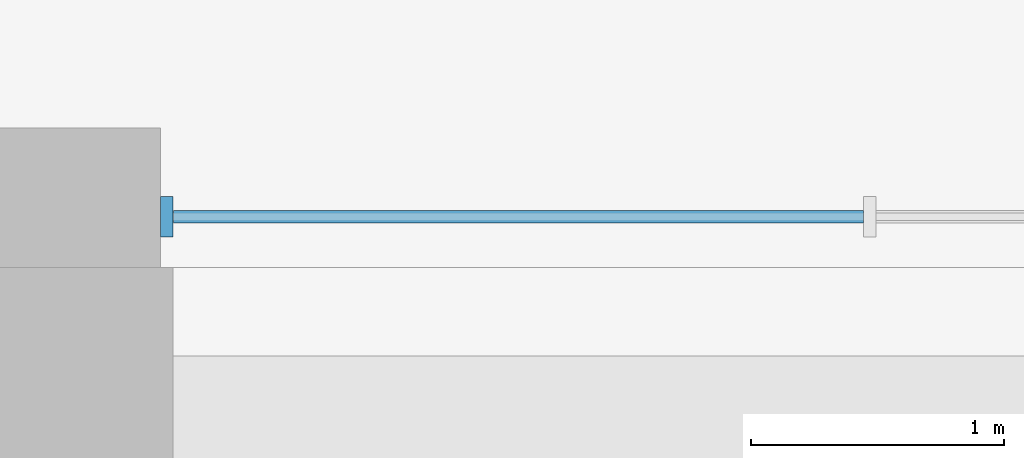
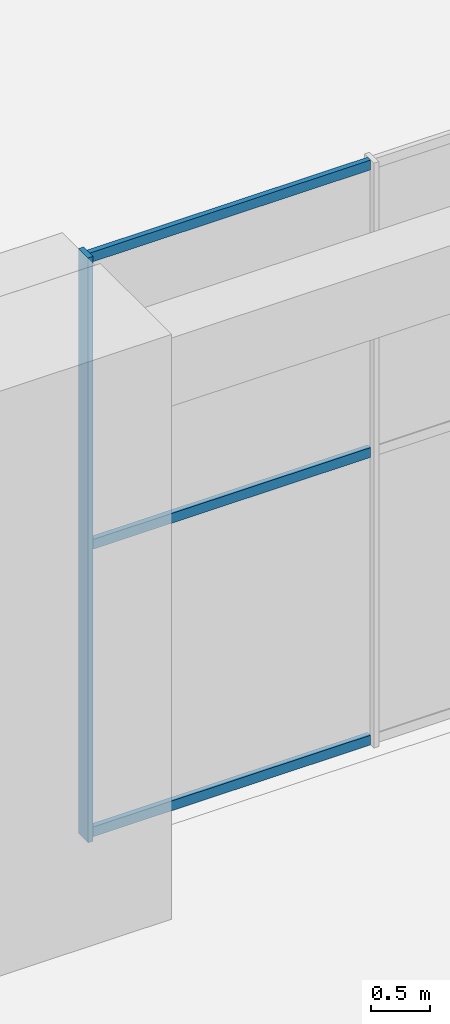
# One storey, part 7 of 28: 4 members, 1 element without a shape of its own.
"""IFC4 building model written with IfcOpenShell, lengths in metres."""

from ifc_helpers import new_model, si_unit, direction, frame, origin, origin_2d, place, context, subcontext, project, spatial, rectangle, extrude, material, layer, layer_set, material_profile, profile_set, type_object, element, aggregate, save


model = new_model("IFC4")

# Units and contexts
model_context = context("Model", 3, precision=1e-05, world=origin(), true_north=direction((0.0, 1.0)))
body_context = subcontext(model_context, "Body", "Model", "MODEL_VIEW")
ifc_project = project(units=[si_unit("LENGTHUNIT", "METRE"), si_unit("AREAUNIT", "SQUARE_METRE"), si_unit("VOLUMEUNIT", "CUBIC_METRE"), si_unit("PLANEANGLEUNIT", "RADIAN"), si_unit("MASSUNIT", "GRAM", prefix="KILO")], contexts=[model_context])

# Site, building, storey
site_placement = place(None, origin())
site = spatial("IfcSite", under=ifc_project, at=site_placement, CompositionType="ELEMENT")
building_placement = place(site_placement, origin())
building = spatial("IfcBuilding", under=site, at=building_placement, Name="Qaws Garden Tower", CompositionType="ELEMENT")
storey_placement = place(building_placement, frame((0.0, 0.0, 6.0)))
storey = spatial("IfcBuildingStorey", under=building, at=storey_placement, Name="L01", CompositionType="ELEMENT", Elevation=6.0)

# Curtain wall, members
ifc_material_1 = material(Name="Anodised aluminium curtain wall frame", Category="aluminium")
ifc_layer = layer(ifc_material_1, 0.159912109375)
ifc_layer_set = layer_set([ifc_layer], Name="Anodised aluminium curtain wall frame")
curtain_wall_type = type_object("IfcCurtainWallType", Name="CW4 garden level glazing curtain wall", PredefinedType="NOTDEFINED", material=ifc_layer_set)
curtain_wall_placement = place(storey_placement, origin())
curtain_wall = element("IfcCurtainWall", 1, at=curtain_wall_placement, inside=storey, type_object=curtain_wall_type, Name="CW4 Garden level glazing 08", PredefinedType="NOTDEFINED")
ifc_material_2 = material(Name="Anodised aluminium curtain wall frame", Category="aluminium")
ifc_material_profile_1 = material_profile(ifc_material_2, rectangle(XDim=0.159912109375, YDim=0.050048828125, at=origin_2d()), Name="AL 50x160")
ifc_profile_set_1 = profile_set([ifc_material_profile_1], Name="Anodised aluminium curtain wall frame")
member_type_1 = type_object("IfcMemberType", Name="CW4 mullion 50 x 160", PredefinedType="MULLION", material=ifc_profile_set_1)
member_1_placement = place(storey_placement, frame((60.824951171875, 30.800048828125, 0.0), z_axis=(0.0, 0.0, 1.0), x_axis=(0.0, -1.0, 0.0)))
member_1 = element("IfcMember", 2, at=member_1_placement, type_object=member_type_1, Name="CW4 mullion 4", PredefinedType="MULLION", context=body_context, shape_type="SweptSolid", body=[
    extrude(rectangle(XDim=0.159912109375, YDim=0.050048828125, at=origin_2d()), origin(), (0.0, 0.0, 1.0), 6.0),
])
ifc_material_3 = material(Name="Anodised aluminium curtain wall frame", Category="aluminium")
ifc_material_profile_2 = material_profile(ifc_material_3, rectangle(XDim=0.050048828125, YDim=0.10009765625, at=origin_2d()), Name="AL 50x100")
ifc_profile_set_2 = profile_set([ifc_material_profile_2], Name="Anodised aluminium curtain wall frame")
member_type_2 = type_object("IfcMemberType", Name="CW4 transom 100 x 50", PredefinedType="USERDEFINED", material=ifc_profile_set_2)
member_2_placement = place(storey_placement, frame((63.574951171875, 30.800048828125, 0.050048828125), z_axis=(-1.0, 0.0, 0.0), x_axis=(0.0, -1.0, 0.0)))
member_2 = element("IfcMember", 3, at=member_2_placement, type_object=member_type_2, Name="CW4 transom 3.1", ObjectType="TRANSOM", PredefinedType="USERDEFINED", context=body_context, shape_type="SweptSolid", body=[
    extrude(rectangle(XDim=0.050048828125, YDim=0.10009765625, at=origin_2d()), origin(), (0.0, 0.0, 1.0), 2.724853515625),
])
member_3_placement = place(storey_placement, frame((63.574951171875, 30.800048828125, 3.0), z_axis=(-1.0, 0.0, 0.0), x_axis=(0.0, -1.0, 0.0)))
member_3 = element("IfcMember", 4, at=member_3_placement, type_object=member_type_2, Name="CW4 transom 3.2", ObjectType="TRANSOM", PredefinedType="USERDEFINED", context=body_context, shape_type="SweptSolid", body=[
    extrude(rectangle(XDim=0.050048828125, YDim=0.10009765625, at=origin_2d()), origin(), (0.0, 0.0, 1.0), 2.724853515625),
])
member_4_placement = place(storey_placement, frame((63.574951171875, 30.800048828125, 5.949951171875), z_axis=(-1.0, 0.0, 0.0), x_axis=(0.0, -1.0, 0.0)))
member_4 = element("IfcMember", 5, at=member_4_placement, type_object=member_type_2, Name="CW4 transom 3.3", ObjectType="TRANSOM", PredefinedType="USERDEFINED", context=body_context, shape_type="SweptSolid", body=[
    extrude(rectangle(XDim=0.050048828125, YDim=0.10009765625, at=origin_2d()), origin(), (0.0, 0.0, 1.0), 2.724853515625),
])
aggregate(curtain_wall, [member_1, member_2, member_3, member_4])

save(model, "model.ifc")
